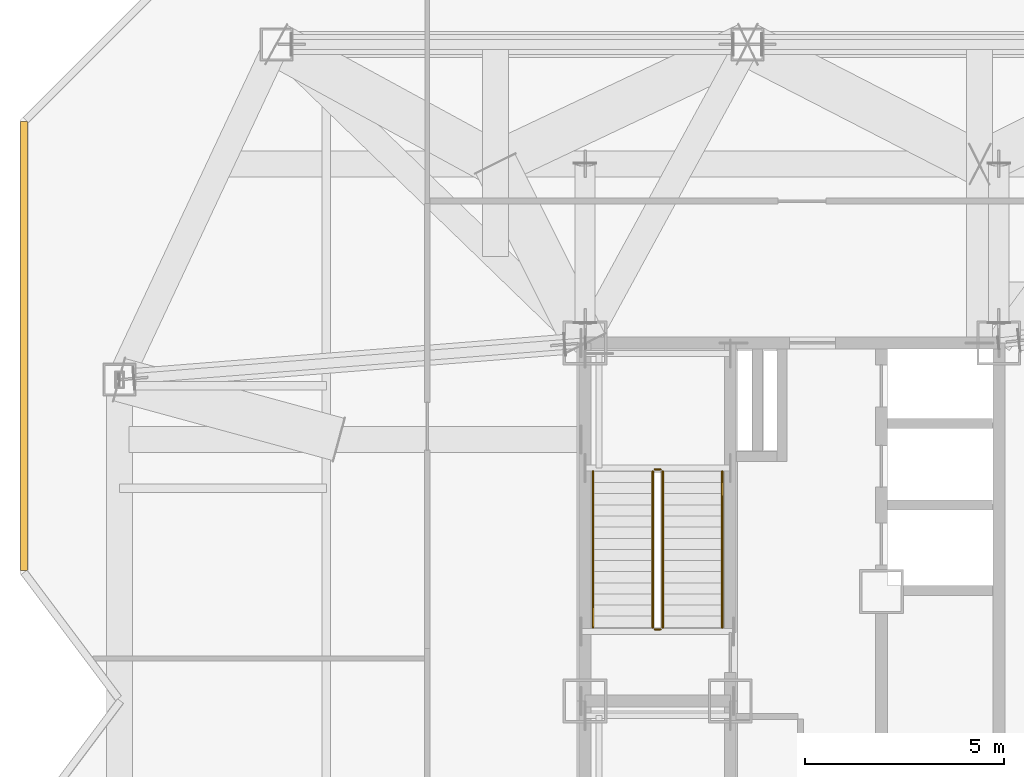
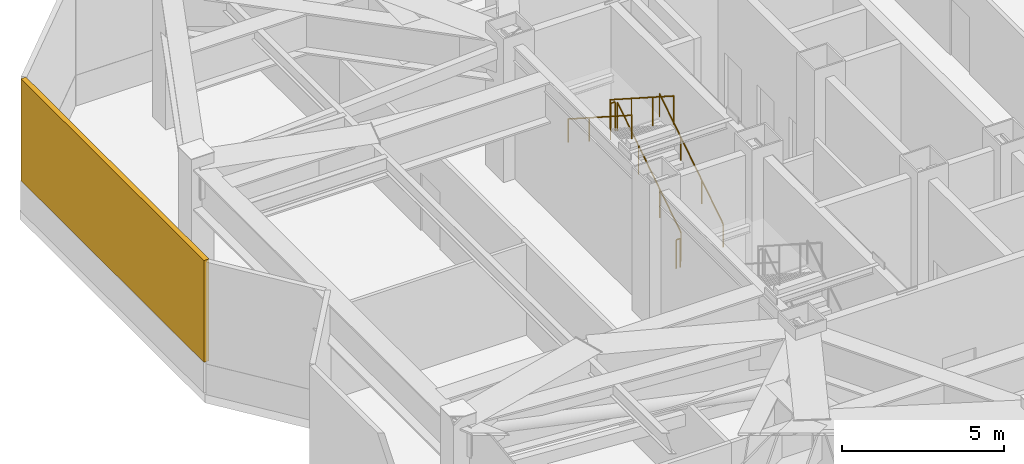
# One storey, part 18 of 19: 6 railings, 1 shading device.
"""IFC4 building model written with IfcOpenShell, lengths in metres."""

from ifc_helpers import new_model, si_unit, direction, frame, origin, origin_2d, place, context, subcontext, project, spatial, rectangle, circle, extrude, material, type_object, element, save


model = new_model("IFC4")

# Units and contexts
model_context = context("Model", 3, precision=1e-05, world=origin(), true_north=direction((0.0, 1.0)))
body_context = subcontext(model_context, "Body", "Model", "MODEL_VIEW")
ifc_project = project(units=[si_unit("LENGTHUNIT", "METRE"), si_unit("AREAUNIT", "SQUARE_METRE"), si_unit("VOLUMEUNIT", "CUBIC_METRE"), si_unit("PLANEANGLEUNIT", "RADIAN"), si_unit("MASSUNIT", "GRAM", prefix="KILO")], contexts=[model_context])

# Site, building, storey
site_placement = place(None, origin())
site = spatial("IfcSite", under=ifc_project, at=site_placement, CompositionType="ELEMENT")
building_placement = place(site_placement, origin())
building = spatial("IfcBuilding", under=site, at=building_placement, Name="Khamvora Tower", CompositionType="ELEMENT")
storey_placement = place(building_placement, frame((0.0, 0.0, 211.800048828125)))
storey = spatial("IfcBuildingStorey", under=building, at=storey_placement, Name="L54", CompositionType="ELEMENT", Elevation=211.800048828125)

# Railings
ifc_material_1 = material(Name="Brushed Stainless Steel 316", Category="steel")
railing_type_1 = type_object("IfcRailingType", Name="RAL-HDR-920", PredefinedType="HANDRAIL", material=ifc_material_1)
railing_1_placement = place(storey_placement, frame((32.449951171875, 29.85009765625, 0.179931640625)))
element("IfcRailing", 1, at=railing_1_placement, inside=storey, type_object=railing_type_1, Name="L54 ST-02 stair handrail 1", PredefinedType="HANDRAIL", context=body_context, shape_type="SweptSolid", body=[
    extrude(circle(Radius=0.02392578125, at=origin_2d()), frame((0.0, 0.0, 0.8759765625), z_axis=(0.0, 0.841171666519, 0.540768182723), x_axis=(-1.0, 0.0, 0.0)), (0.0, 0.0, 1.0), 4.66015625),
    extrude(circle(Radius=0.02099609375, at=origin_2d()), origin(), (0.0, 0.0, 1.0), 0.851806640625),
    extrude(circle(Radius=0.02099609375, at=origin_2d()), frame((0.0, 1.306640625, 0.840087890625)), (0.0, 0.0, 1.0), 0.851806640625),
    extrude(circle(Radius=0.02099609375, at=origin_2d()), frame((0.0, 2.61328125, 1.679931640625)), (0.0, 0.0, 1.0), 0.851806640625),
    extrude(circle(Radius=0.02099609375, at=origin_2d()), frame((0.0, 3.919921875, 2.52001953125)), (0.0, 0.0, 1.0), 0.851806640625),
])
railing_2_placement = place(storey_placement, frame((29.199951171875, 33.77001953125, 2.8798828125)))
element("IfcRailing", 2, at=railing_2_placement, inside=storey, type_object=railing_type_1, Name="L54 ST-02 stair handrail 2", PredefinedType="HANDRAIL", context=body_context, shape_type="SweptSolid", body=[
    extrude(circle(Radius=0.02392578125, at=origin_2d()), frame((0.0, 0.0, 0.8759765625), z_axis=(0.0, -0.841171666519, 0.540768182723), x_axis=(1.0, 0.0, 0.0)), (0.0, 0.0, 1.0), 4.66015625),
    extrude(circle(Radius=0.02099609375, at=origin_2d()), origin(), (0.0, 0.0, 1.0), 0.851806640625),
    extrude(circle(Radius=0.02099609375, at=origin_2d()), frame((0.0, -1.306640625, 0.840087890625)), (0.0, 0.0, 1.0), 0.851806640625),
    extrude(circle(Radius=0.02099609375, at=origin_2d()), frame((0.0, -2.61328125, 1.679931640625)), (0.0, 0.0, 1.0), 0.851806640625),
    extrude(circle(Radius=0.02099609375, at=origin_2d()), frame((0.0, -3.919921875, 2.52001953125)), (0.0, 0.0, 1.0), 0.851806640625),
])
ifc_material_2 = material(Name="Stainless Steel 316", Category="steel")
railing_type_2 = type_object("IfcRailingType", Name="RAL-STG-1100", PredefinedType="GUARDRAIL", material=ifc_material_2)
railing_3_placement = place(storey_placement, frame((30.949951171875, 29.85009765625, 0.179931640625)))
element("IfcRailing", 3, at=railing_3_placement, inside=storey, type_object=railing_type_2, Name="L54 ST-02 stair guard 1", PredefinedType="GUARDRAIL", context=body_context, shape_type="SweptSolid", body=[
    extrude(circle(Radius=0.02392578125, at=origin_2d()), frame((0.0, 0.0, 1.076171875), z_axis=(0.0, 0.841171666519, 0.540768182723), x_axis=(-1.0, 0.0, 0.0)), (0.0, 0.0, 1.0), 4.66015625),
    extrude(circle(Radius=0.02099609375, at=origin_2d()), origin(), (0.0, 0.0, 1.0), 1.052001953125),
    extrude(circle(Radius=0.02099609375, at=origin_2d()), frame((0.0, 1.306640625, 0.840087890625)), (0.0, 0.0, 1.0), 1.052001953125),
    extrude(circle(Radius=0.02099609375, at=origin_2d()), frame((0.0, 2.61328125, 1.679931640625)), (0.0, 0.0, 1.0), 1.052001953125),
    extrude(circle(Radius=0.02099609375, at=origin_2d()), frame((0.0, 3.919921875, 2.52001953125)), (0.0, 0.0, 1.0), 1.052001953125),
])
railing_4_placement = place(storey_placement, frame((30.89990234375, 33.820068359375, 2.699951171875)))
element("IfcRailing", 4, at=railing_4_placement, inside=storey, type_object=railing_type_2, Name="L54 ST-02 stair guard 2", PredefinedType="GUARDRAIL", context=body_context, shape_type="SweptSolid", body=[
    extrude(circle(Radius=0.02392578125, at=origin_2d()), frame((0.0, 0.0, 1.076171875), z_axis=(-1.0, 0.0, 0.0), x_axis=(0.0, -1.0, 0.0)), (0.0, 0.0, 1.0), 0.14990234375),
    extrude(circle(Radius=0.02099609375, at=origin_2d()), origin(), (0.0, 0.0, 1.0), 1.052001953125),
    extrude(circle(Radius=0.02099609375, at=origin_2d()), frame((-0.14990234375, 0.0, 0.0)), (0.0, 0.0, 1.0), 1.052001953125),
])
railing_5_placement = place(storey_placement, frame((30.699951171875, 33.77001953125, 2.8798828125)))
element("IfcRailing", 5, at=railing_5_placement, inside=storey, type_object=railing_type_2, Name="L54 ST-02 stair guard 3", PredefinedType="GUARDRAIL", context=body_context, shape_type="SweptSolid", body=[
    extrude(circle(Radius=0.02392578125, at=origin_2d()), frame((0.0, 0.0, 1.076171875), z_axis=(0.0, -0.841171666519, 0.540768182723), x_axis=(1.0, 0.0, 0.0)), (0.0, 0.0, 1.0), 4.66015625),
    extrude(circle(Radius=0.02099609375, at=origin_2d()), origin(), (0.0, 0.0, 1.0), 1.052001953125),
    extrude(circle(Radius=0.02099609375, at=origin_2d()), frame((0.0, -1.306640625, 0.840087890625)), (0.0, 0.0, 1.0), 1.052001953125),
    extrude(circle(Radius=0.02099609375, at=origin_2d()), frame((0.0, -2.61328125, 1.679931640625)), (0.0, 0.0, 1.0), 1.052001953125),
    extrude(circle(Radius=0.02099609375, at=origin_2d()), frame((0.0, -3.919921875, 2.52001953125)), (0.0, 0.0, 1.0), 1.052001953125),
])
railing_6_placement = place(storey_placement, frame((30.89990234375, 29.800048828125, 0.0)))
element("IfcRailing", 6, at=railing_6_placement, inside=storey, type_object=railing_type_2, Name="L54 ST-02 stair guard 4", PredefinedType="GUARDRAIL", context=body_context, shape_type="SweptSolid", body=[
    extrude(circle(Radius=0.02392578125, at=origin_2d()), frame((0.0, 0.0, 1.076171875), z_axis=(-1.0, 0.0, 0.0), x_axis=(0.0, -1.0, 0.0)), (0.0, 0.0, 1.0), 0.14990234375),
    extrude(circle(Radius=0.02099609375, at=origin_2d()), origin(), (0.0, 0.0, 1.0), 1.052001953125),
    extrude(circle(Radius=0.02099609375, at=origin_2d()), frame((-0.14990234375, 0.0, 0.0)), (0.0, 0.0, 1.0), 1.052001953125),
])

# Shading device
ifc_material_3 = material(Name="Pale Anodised Aluminium 6063-T6", Category="aluminium")
shading_device_type = type_object("IfcShadingDeviceType", Name="SHD-LVR-150", PredefinedType="JALOUSIE", material=ifc_material_3)
shading_device_placement = place(storey_placement, frame((14.89990234375, 36.9208984375, 1.14990234375), z_axis=(0.0, 0.0, 1.0), x_axis=(0.0, 1.0, 0.0)))
element("IfcShadingDevice", 7, at=shading_device_placement, inside=storey, type_object=shading_device_type, Name="L54 mechanical weather louvre 05.1", PredefinedType="JALOUSIE", context=body_context, shape_type="SweptSolid", body=[
    extrude(rectangle(XDim=11.27490234375, YDim=0.179931640625, at=origin_2d()), origin(), (0.0, 0.0, 1.0), 3.830078125),
])

save(model, "model.ifc")
